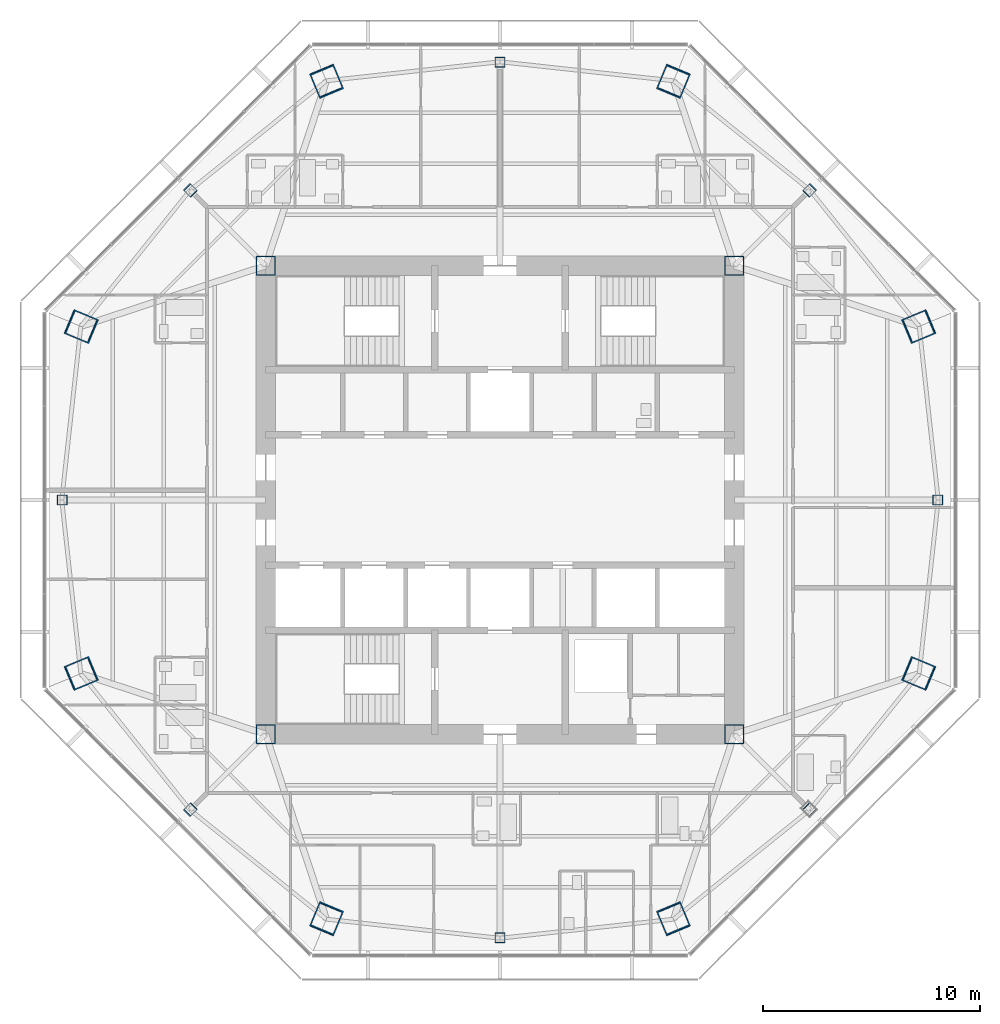
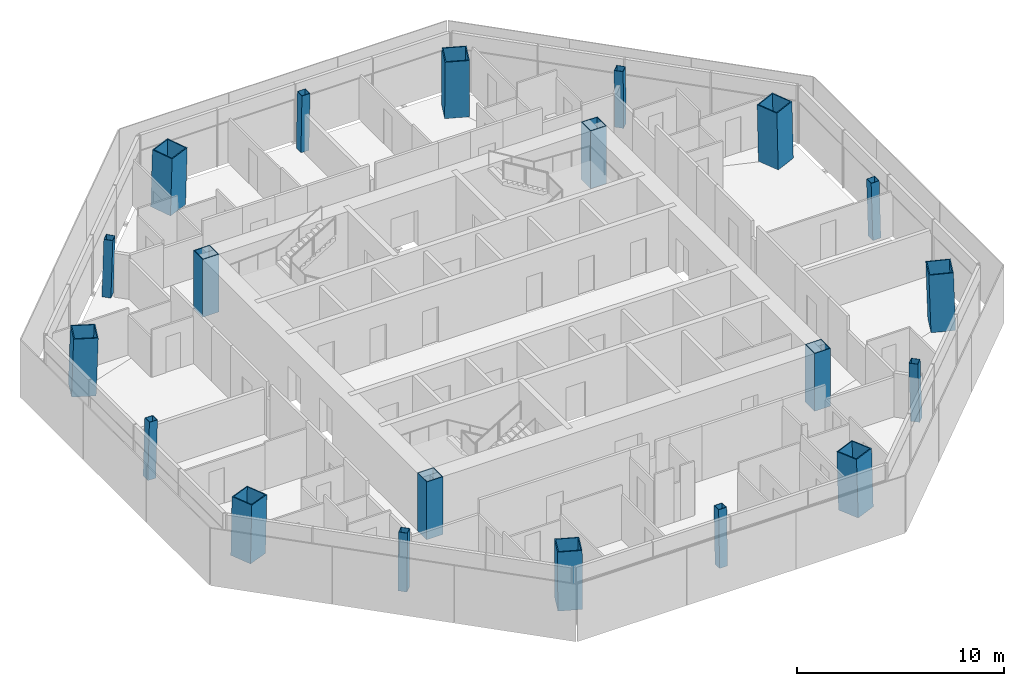
# One storey, part 1 of 15: 20 columns.
"""IFC4 building model written with IfcOpenShell, lengths in metres."""

import ifcopenshell
import ifcopenshell.guid

model = None  # the IFC model being written
_history = None  # IfcOwnerHistory: only IFC2X3 demands one
_inside = {}  # id of a spatial element -> (the spatial element, [elements in it])
_under = {}  # id of a project, library or spatial element -> (it, [spatial elements below it])
_declared = {}  # id of a project -> (the project, [libraries it declares])
_typed = {}  # id of a type object -> (the type object, [elements of that type])
_made_of = {}  # id of a material, layer set ... -> (it, [elements and type objects made of it])


def new_model(schema):
    """Start an empty IFC model of exactly this schema.

    Asked for "IFC4X3", IfcOpenShell would pick the latest addendum, in which some entities
    have other attributes; the version numbers below select the first issue.
    IFC2X3 requires an IfcOwnerHistory on every rooted entity: one is made here for all.
    """
    global model, _history
    if schema == "IFC4X3":
        model = ifcopenshell.file(schema_version=(4, 3, 0, 0))
    else:
        model = ifcopenshell.file(schema=schema)
    _inside.clear()
    _under.clear()
    _declared.clear()
    _typed.clear()
    _made_of.clear()
    _history = None
    if model.schema == "IFC2X3":
        org = make("IfcOrganization", Name="unknown")
        user = make(
            "IfcPersonAndOrganization",
            ThePerson=make("IfcPerson", FamilyName="unknown"),
            TheOrganization=org,
        )
        app = make(
            "IfcApplication",
            ApplicationDeveloper=org,
            Version="unknown",
            ApplicationFullName="unknown",
            ApplicationIdentifier="unknown",
        )
        _history = make(
            "IfcOwnerHistory",
            OwningUser=user,
            OwningApplication=app,
            ChangeAction="ADDED",
            CreationDate=0,
        )
    return model


def make(cls, **values):
    """One entity of the class cls with the attributes given. An attribute that is None is left unset."""
    return model.create_entity(
        cls, **{name: value for name, value in values.items() if value is not None}
    )


def rooted(cls, **values):
    """An entity with a GlobalId (a new one), such as an element, a storey or a relation."""
    return make(cls, GlobalId=ifcopenshell.guid.new(), OwnerHistory=_history, **values)


def si_unit(unit_type, name, prefix=None):
    """IfcSIUnit, for example si_unit("LENGTHUNIT", "METRE", prefix="MILLI")."""
    return make("IfcSIUnit", UnitType=unit_type, Prefix=prefix, Name=name)


def assignment(units):
    """IfcUnitAssignment: the units of a project."""
    return None if units is None else make("IfcUnitAssignment", Units=units)


def point(xyz):
    """IfcCartesianPoint."""
    return None if xyz is None else make("IfcCartesianPoint", Coordinates=xyz)


def direction(xyz):
    """IfcDirection."""
    return None if xyz is None else make("IfcDirection", DirectionRatios=xyz)


def frame(location, z_axis=None, x_axis=None):
    """IfcAxis2Placement3D, a coordinate frame: its origin and axes. An axis left out is left unset."""
    return make(
        "IfcAxis2Placement3D",
        Location=point(location),
        Axis=direction(z_axis),
        RefDirection=direction(x_axis),
    )


def frame_2d(location, x_axis=None):
    """IfcAxis2Placement2D, a coordinate frame in the plane: its origin and x axis."""
    return make(
        "IfcAxis2Placement2D", Location=point(location), RefDirection=direction(x_axis)
    )


def origin():
    """The frame at (0, 0, 0) with its axes left unset."""
    return frame((0.0, 0.0, 0.0))


def origin_2d():
    """The frame at (0, 0) in the plane with its x axis left unset."""
    return frame_2d((0.0, 0.0))


def place(relative_to, where):
    """IfcLocalPlacement: puts the frame where relative to a parent placement (None: the world)."""
    return make(
        "IfcLocalPlacement", PlacementRelTo=relative_to, RelativePlacement=where
    )


def context(
    kind, dimensions, precision=None, world=None, true_north=None, identifier=None
):
    """IfcGeometricRepresentationContext, for example the 3D "Model" context."""
    return make(
        "IfcGeometricRepresentationContext",
        ContextIdentifier=identifier,
        ContextType=kind,
        CoordinateSpaceDimension=dimensions,
        Precision=precision,
        WorldCoordinateSystem=world,
        TrueNorth=true_north,
    )


def subcontext(parent, identifier, kind, view, scale=None):
    """IfcGeometricRepresentationSubContext, for example "Body" below "Model"."""
    return make(
        "IfcGeometricRepresentationSubContext",
        ContextIdentifier=identifier,
        ContextType=kind,
        ParentContext=parent,
        TargetScale=scale,
        TargetView=view,
    )


def project(units=None, contexts=None):
    """IfcProject with its units and contexts."""
    return rooted(
        "IfcProject",
        Name="project",
        RepresentationContexts=contexts,
        UnitsInContext=assignment(units),
    )


def spatial(cls, under=None, at=None, **own):
    """A site, building, storey or space (cls), placed at a placement, below another one or the project."""
    s = rooted(cls, ObjectPlacement=at, **own)
    if under is not None:
        _under.setdefault(under.id(), (under, []))[1].append(s)
    return s


def profile(cls, at=None, kind="AREA", **sizes):
    """A parametric profile (cls). Its sizes go by their IFC names, for example OverallWidth=200.0."""
    return make(cls, ProfileType=kind, Position=at, **sizes)


def hollow_rectangle(**sizes):
    """IfcRectangleHollowProfileDef."""
    return profile("IfcRectangleHollowProfileDef", **sizes)


def extrude(swept, where, along, depth):
    """IfcExtrudedAreaSolid: the profile swept, set in the frame where, extruded along a direction by depth."""
    return make(
        "IfcExtrudedAreaSolid",
        SweptArea=swept,
        Position=where,
        ExtrudedDirection=direction(along),
        Depth=depth,
    )


def shape(context_of_items, identifier, shape_type, items):
    """IfcShapeRepresentation: the items that make up one representation, for example the "Body"."""
    return make(
        "IfcShapeRepresentation",
        ContextOfItems=context_of_items,
        RepresentationIdentifier=identifier,
        RepresentationType=shape_type,
        Items=items,
    )


def material(Name=None, Category=None):
    """IfcMaterial."""
    return make("IfcMaterial", Name=Name, Category=Category)


def material_profile(
    of_material, cross_section, Name=None, Category=None, Priority=None
):
    """IfcMaterialProfile: a cross section and its material."""
    return make(
        "IfcMaterialProfile",
        Name=Name,
        Material=of_material,
        Profile=cross_section,
        Priority=Priority,
        Category=Category,
    )


def profile_set(profiles, Name=None, composite=None):
    """IfcMaterialProfileSet."""
    return make(
        "IfcMaterialProfileSet",
        Name=Name,
        MaterialProfiles=profiles,
        CompositeProfile=composite,
    )


def made_of(thing, what):
    """Note that an element or type object is made of a material, layer set ...; save() writes the relation."""
    if what is not None:
        _made_of.setdefault(what.id(), (what, []))[1].append(thing)
    return thing


def type_object(cls, material=None, **own):
    """A type object (cls), such as IfcWallType, which elements share."""
    return made_of(rooted(cls, **own), material)


def element(
    cls,
    number,
    at=None,
    inside=None,
    cuts=None,
    type_object=None,
    material=None,
    context=None,
    identifier="Body",
    shape_type=None,
    held_by="IfcProductDefinitionShape",
    body=None,
    shapes=None,
    **own,
):
    """One element of the class cls, such as IfcWall. Its Tag is "e" and its number.

    at: its placement. inside: the storey or other place that contains it. cuts: it is an
    opening in that element (IfcRelVoidsElement). A single representation is given by context,
    identifier, shape_type and body (its items); several are given by shapes. held_by: the class
    of the entity that holds the representations. save() writes the other relations.
    """
    e = rooted(cls, Tag="e%d" % number, ObjectPlacement=at, **own)
    if body is not None:
        shapes = [shape(context, identifier, shape_type, body)]
    if shapes is not None:
        e.Representation = make(held_by, Representations=shapes)
    if inside is not None:
        _inside.setdefault(inside.id(), (inside, []))[1].append(e)
    if cuts is not None:
        rooted(
            "IfcRelVoidsElement", RelatingBuildingElement=cuts, RelatedOpeningElement=e
        )
    if type_object is not None:
        _typed.setdefault(type_object.id(), (type_object, []))[1].append(e)
    return made_of(e, material)


def aggregate(whole, parts):
    """IfcRelAggregates: a whole, such as a stair, and the parts it consists of."""
    return rooted("IfcRelAggregates", RelatingObject=whole, RelatedObjects=parts)


def save(model, path):
    """Write the relations noted so far, then the file.

    IfcRelAggregates (storeys below a building ...), IfcRelContainedInSpatialStructure (elements
    in a storey), IfcRelDefinesByType, IfcRelAssociatesMaterial and IfcRelDeclares: one each for
    every whole, place, type object, material and project.
    """
    for whole, parts in _under.values():
        aggregate(whole, parts)
    for where, things in _inside.values():
        rooted(
            "IfcRelContainedInSpatialStructure",
            RelatedElements=things,
            RelatingStructure=where,
        )
    for kind, things in _typed.values():
        rooted("IfcRelDefinesByType", RelatedObjects=things, RelatingType=kind)
    for what, things in _made_of.values():
        rooted("IfcRelAssociatesMaterial", RelatedObjects=things, RelatingMaterial=what)
    for by, libraries in _declared.values():
        rooted("IfcRelDeclares", RelatingContext=by, RelatedDefinitions=libraries)
    model.write(path)


model = new_model("IFC4")

# Units and contexts
model_context = context("Model", 3, precision=1e-05, world=origin(), true_north=direction((0.0, 1.0)))
body_context = subcontext(model_context, "Body", "Model", "MODEL_VIEW")
ifc_project = project(units=[si_unit("LENGTHUNIT", "METRE"), si_unit("AREAUNIT", "SQUARE_METRE"), si_unit("VOLUMEUNIT", "CUBIC_METRE"), si_unit("PLANEANGLEUNIT", "RADIAN"), si_unit("MASSUNIT", "GRAM", prefix="KILO")], contexts=[model_context])

# Site, building, storey
site_placement = place(None, origin())
site = spatial("IfcSite", under=ifc_project, at=site_placement, CompositionType="ELEMENT")
building_placement = place(site_placement, origin())
building = spatial("IfcBuilding", under=site, at=building_placement, Name="Mashrafa Tower", CompositionType="ELEMENT")
storey_placement = place(building_placement, frame((0.0, 0.0, 248.199951171875)))
storey = spatial("IfcBuildingStorey", under=building, at=storey_placement, Name="L59", CompositionType="ELEMENT", Elevation=248.199951171875)

# Columns
ifc_material_1 = material(Name="Steel ASTM A572 Gr 50", Category="steel")
ifc_material_profile_1 = material_profile(ifc_material_1, hollow_rectangle(XDim=0.89990234375, YDim=0.89990234375, WallThickness=0.0400390625, at=origin_2d()), Name="BOX900X900X40")
ifc_profile_set_1 = profile_set([ifc_material_profile_1], Name="Steel ASTM A572 Gr 50")
column_type_1 = type_object("IfcColumnType", Name="Core corner column BOX900X900X40", PredefinedType="COLUMN", material=ifc_profile_set_1)
for number, where, z_axis, x_axis, name in (
    (1, (10.800048828125, 10.800048828125, 0.0), (0.0, 0.0, 1.0), (1.0, 0.0, 0.0), "Core corner column CC-NE L59"),
    (2, (-10.800048828125, 10.800048828125, 0.0), (0.0, 0.0, 1.0), (1.0, 0.0, 0.0), "Core corner column CC-NW L59"),
    (3, (-10.800048828125, -10.800048828125, 0.0), (0.0, 0.0, 1.0), (1.0, 0.0, 0.0), "Core corner column CC-SW L59"),
    (4, (10.800048828125, -10.800048828125, 0.0), (0.0, 0.0, 1.0), (1.0, 0.0, 0.0), "Core corner column CC-SE L59"),
):
    element("IfcColumn", number, at=place(storey_placement, frame(where, z_axis=z_axis, x_axis=x_axis)), inside=storey, type_object=column_type_1, Name=name, PredefinedType="COLUMN", context=body_context, shape_type="SweptSolid", body=[
        extrude(hollow_rectangle(XDim=0.89990234375, YDim=0.89990234375, WallThickness=0.0400390625, at=origin_2d()), origin(), (0.0, 0.0, 1.0), 3.400146484375),
    ])
ifc_material_2 = material(Name="Steel ASTM A572 Gr 50", Category="steel")
ifc_material_profile_2 = material_profile(ifc_material_2, hollow_rectangle(XDim=1.199951171875, YDim=1.199951171875, WallThickness=0.054931640625, at=origin_2d()), Name="BOX1200X1200X55")
ifc_profile_set_2 = profile_set([ifc_material_profile_2], Name="Steel ASTM A572 Gr 50")
column_type_2 = type_object("IfcColumnType", Name="Mega column CFST BOX1200X1200X55", PredefinedType="COLUMN", material=ifc_profile_set_2)
for number, where, z_axis, x_axis, name in (
    (5, (19.315185546875, 8.000732421875, 0.0), (-0.02827709807, -0.011770162649, 0.999530824435), (0.3842825994, -0.923215513192, 0.0), "Mega column MC1 L59"),
    (6, (8.000732421875, 19.315185546875, 0.0), (-0.011770162649, -0.02827709807, 0.999530824435), (0.923215513192, -0.3842825994, 0.0), "Mega column MC2 L59"),
    (7, (-8.000732421875, 19.315185546875, 0.0), (0.011770162649, -0.02827709807, 0.999530824435), (0.923215513192, 0.3842825994, 0.0), "Mega column MC3 L59"),
    (8, (-19.315185546875, 8.000732421875, 0.0), (0.02827709807, -0.011770162649, 0.999530824435), (0.3842825994, 0.923215513192, 0.0), "Mega column MC4 L59"),
    (9, (-19.315185546875, -8.000732421875, 0.0), (0.02827709807, 0.011770162649, 0.999530824435), (-0.3842825994, 0.923215513192, 0.0), "Mega column MC5 L59"),
    (10, (-8.000732421875, -19.315185546875, 0.0), (0.011770162649, 0.02827709807, 0.999530824435), (-0.923215513192, 0.3842825994, 0.0), "Mega column MC6 L59"),
    (11, (8.000732421875, -19.315185546875, 0.0), (-0.011770162649, 0.02827709807, 0.999530824435), (-0.923215513192, -0.3842825994, 0.0), "Mega column MC7 L59"),
    (12, (19.315185546875, -8.000732421875, 0.0), (-0.02827709807, 0.011770162649, 0.999530824435), (-0.3842825994, -0.923215513192, 0.0), "Mega column MC8 L59"),
):
    element("IfcColumn", number, at=place(storey_placement, frame(where, z_axis=z_axis, x_axis=x_axis)), inside=storey, type_object=column_type_2, Name=name, PredefinedType="COLUMN", context=body_context, shape_type="SweptSolid", body=[
        extrude(hollow_rectangle(XDim=1.199951171875, YDim=1.199951171875, WallThickness=0.054931640625, at=origin_2d()), origin(), (0.0, 0.0, 1.0), 3.40185546875),
    ])
ifc_material_3 = material(Name="Steel ASTM A572 Gr 50", Category="steel")
ifc_material_profile_3 = material_profile(ifc_material_3, hollow_rectangle(XDim=0.449951171875, YDim=0.449951171875, WallThickness=0.02001953125, at=origin_2d()), Name="BOX450X450X20")
ifc_profile_set_3 = profile_set([ifc_material_profile_3], Name="Steel ASTM A572 Gr 50")
column_type_3 = type_object("IfcColumnType", Name="Secondary column BOX450X450X20", PredefinedType="COLUMN", material=ifc_profile_set_3)
for number, where, z_axis, x_axis, name in (
    (13, (20.193603515625, 0.0, 0.0), (-0.028279056982, 0.0, 0.999600067495), (0.0, -1.0, 0.0), "Secondary column SC1 L59"),
    (14, (14.279052734375, 14.279052734375, 0.0), (-0.020024994503, -0.020024994503, 0.999598919162), (0.707106781187, -0.707106781187, 0.0), "Secondary column SC2 L59"),
    (15, (0.0, 20.193603515625, 0.0), (0.0, -0.028279056982, 0.999600067495), (1.0, 0.0, 0.0), "Secondary column SC3 L59"),
    (16, (-14.279052734375, 14.279052734375, 0.0), (0.020024994503, -0.020024994503, 0.999598919162), (0.707106781187, 0.707106781187, 0.0), "Secondary column SC4 L59"),
    (17, (-20.193603515625, 0.0, 0.0), (0.028279056982, 0.0, 0.999600067495), (0.0, 1.0, 0.0), "Secondary column SC5 L59"),
    (18, (-14.279052734375, -14.279052734375, 0.0), (0.020024994503, 0.020024994503, 0.999598919162), (-0.707106781187, 0.707106781187, 0.0), "Secondary column SC6 L59"),
    (19, (0.0, -20.193603515625, 0.0), (0.0, 0.028279056982, 0.999600067495), (-1.0, 0.0, 0.0), "Secondary column SC7 L59"),
    (20, (14.279052734375, -14.279052734375, 0.0), (-0.020024994503, 0.020024994503, 0.999598919162), (-0.707106781187, -0.707106781187, 0.0), "Secondary column SC8 L59"),
):
    element("IfcColumn", number, at=place(storey_placement, frame(where, z_axis=z_axis, x_axis=x_axis)), inside=storey, type_object=column_type_3, Name=name, PredefinedType="COLUMN", context=body_context, shape_type="SweptSolid", body=[
        extrude(hollow_rectangle(XDim=0.449951171875, YDim=0.449951171875, WallThickness=0.02001953125, at=origin_2d()), origin(), (0.0, 0.0, 1.0), 3.401611328125),
    ])

save(model, "model.ifc")
